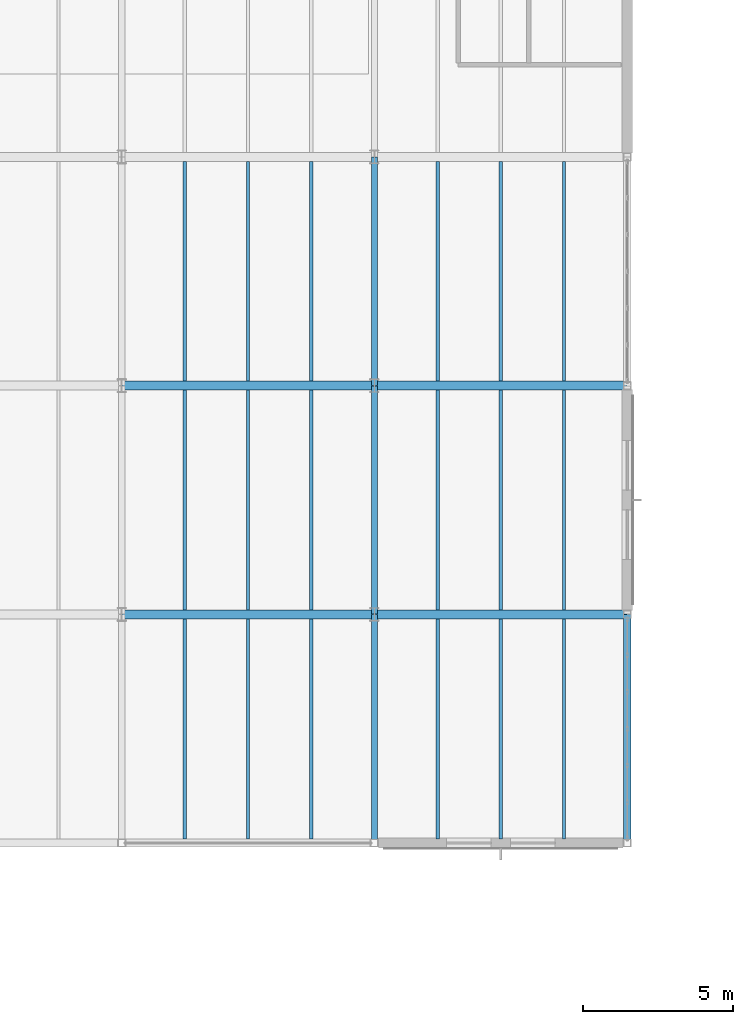
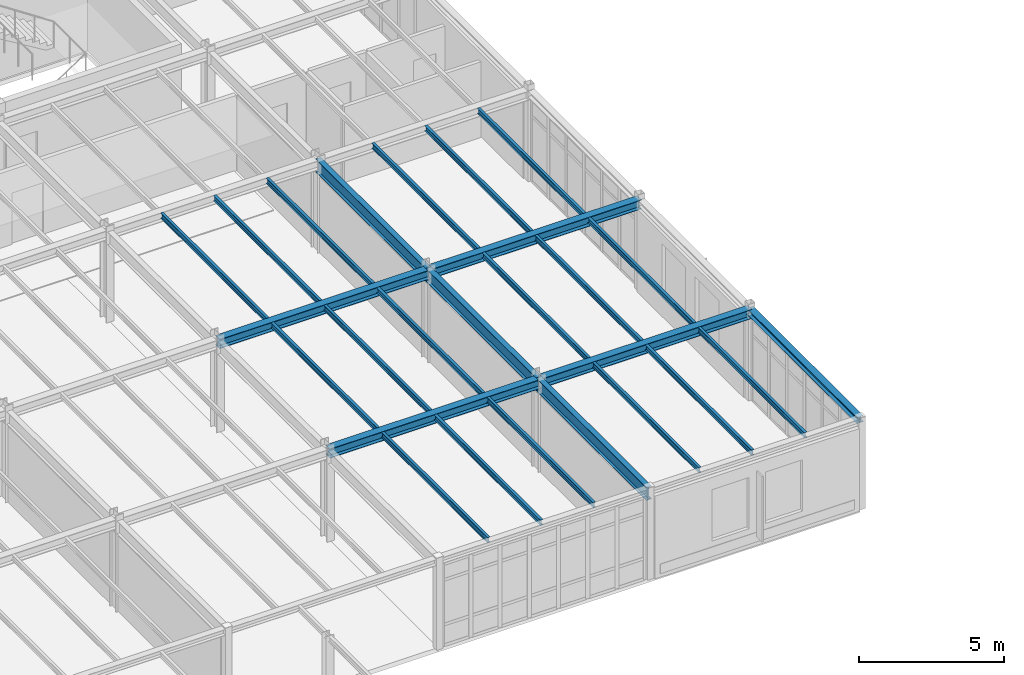
# One storey, part 96 of 189: 26 beams.
"""IFC4 building model written with IfcOpenShell, lengths in metres."""

from ifc_helpers import new_model, si_unit, direction, frame, origin, origin_2d, place, context, subcontext, project, spatial, i_section, extrude, material, material_profile, profile_set, type_object, element, save


model = new_model("IFC4")

# Units and contexts
model_context = context("Model", 3, precision=1e-05, world=origin(), true_north=direction((0.0, 1.0)))
body_context = subcontext(model_context, "Body", "Model", "MODEL_VIEW")
ifc_project = project(units=[si_unit("LENGTHUNIT", "METRE"), si_unit("AREAUNIT", "SQUARE_METRE"), si_unit("VOLUMEUNIT", "CUBIC_METRE"), si_unit("PLANEANGLEUNIT", "RADIAN"), si_unit("MASSUNIT", "GRAM", prefix="KILO")], contexts=[model_context])

# Site, building, storey
site_placement = place(None, origin())
site = spatial("IfcSite", under=ifc_project, at=site_placement, CompositionType="ELEMENT")
building_placement = place(site_placement, origin())
building = spatial("IfcBuilding", under=site, at=building_placement, Name="Montecoro Central Library", CompositionType="ELEMENT")
storey_placement = place(building_placement, frame((0.0, 0.0, 9.179931640625)))
storey = spatial("IfcBuildingStorey", under=building, at=storey_placement, Name="L02", CompositionType="ELEMENT", Elevation=9.179931640625)

# Beams
ifc_material_1 = material(Name="Steel S355", Category="steel")
ifc_material_profile_1 = material_profile(ifc_material_1, i_section(OverallWidth=0.300048828125, OverallDepth=0.389892578125, WebThickness=0.010986328125, FlangeThickness=0.01904296875, at=origin_2d()), Name="HEA 400")
ifc_profile_set_1 = profile_set([ifc_material_profile_1], Name="Steel S355")
beam_type_1 = type_object("IfcBeamType", Name="BM-G-HEA400", PredefinedType="USERDEFINED", material=ifc_profile_set_1)
beam_1_placement = place(storey_placement, frame((100.0048828125, 88.60009765625, 3.630126953125), z_axis=(1.0, 0.0, 0.0), x_axis=(0.0, 1.0, 0.0)))
element("IfcBeam", 1, at=beam_1_placement, inside=storey, type_object=beam_type_1, Name="V2-L02-BX-1314-M", ObjectType="GIRDER", PredefinedType="USERDEFINED", context=body_context, shape_type="SweptSolid", body=[
    extrude(i_section(OverallWidth=0.300048828125, OverallDepth=0.389892578125, WebThickness=0.010986328125, FlangeThickness=0.01904296875, at=origin_2d()), origin(), (0.0, 0.0, 1.0), 8.39013671875),
])
beam_2_placement = place(storey_placement, frame((108.405029296875, 88.60009765625, 3.630126953125), z_axis=(1.0, 0.0, 0.0), x_axis=(0.0, 1.0, 0.0)))
element("IfcBeam", 2, at=beam_2_placement, inside=storey, type_object=beam_type_1, Name="V2-L02-BX-1415-M", ObjectType="GIRDER", PredefinedType="USERDEFINED", context=body_context, shape_type="SweptSolid", body=[
    extrude(i_section(OverallWidth=0.300048828125, OverallDepth=0.389892578125, WebThickness=0.010986328125, FlangeThickness=0.01904296875, at=origin_2d()), origin(), (0.0, 0.0, 1.0), 8.389892578125),
])
beam_3_placement = place(storey_placement, frame((100.0048828125, 96.199951171875, 3.630126953125), z_axis=(1.0, 0.0, 0.0), x_axis=(0.0, 1.0, 0.0)))
element("IfcBeam", 3, at=beam_3_placement, inside=storey, type_object=beam_type_1, Name="V2-L02-BX-1314-N", ObjectType="GIRDER", PredefinedType="USERDEFINED", context=body_context, shape_type="SweptSolid", body=[
    extrude(i_section(OverallWidth=0.300048828125, OverallDepth=0.389892578125, WebThickness=0.010986328125, FlangeThickness=0.01904296875, at=origin_2d()), origin(), (0.0, 0.0, 1.0), 8.39013671875),
])
beam_4_placement = place(storey_placement, frame((108.405029296875, 96.199951171875, 3.630126953125), z_axis=(1.0, 0.0, 0.0), x_axis=(0.0, 1.0, 0.0)))
element("IfcBeam", 4, at=beam_4_placement, inside=storey, type_object=beam_type_1, Name="V2-L02-BX-1415-N", ObjectType="GIRDER", PredefinedType="USERDEFINED", context=body_context, shape_type="SweptSolid", body=[
    extrude(i_section(OverallWidth=0.300048828125, OverallDepth=0.389892578125, WebThickness=0.010986328125, FlangeThickness=0.01904296875, at=origin_2d()), origin(), (0.0, 0.0, 1.0), 8.389892578125),
])
ifc_material_2 = material(Name="Steel S355J2", Category="steel")
ifc_material_profile_2 = material_profile(ifc_material_2, i_section(OverallWidth=0.2099609375, OverallDepth=0.550048828125, WebThickness=0.010986328125, FlangeThickness=0.01708984375, at=origin_2d()), Name="IPE 550")
ifc_profile_set_2 = profile_set([ifc_material_profile_2], Name="Steel S355J2")
beam_type_2 = type_object("IfcBeamType", Name="BM-G-IPE550", PredefinedType="USERDEFINED", material=ifc_profile_set_2)
for number, where, z_axis, x_axis, name in (
    (5, (108.39990234375, 81.0048828125, 3.550048828125), (0.0, 1.0, 0.0), (-1.0, 0.0, 0.0), "V2-L02-BY-14-LM"),
    (6, (108.39990234375, 88.60498046875, 3.550048828125), (0.0, 1.0, 0.0), (-1.0, 0.0, 0.0), "V2-L02-BY-14-MN"),
):
    element("IfcBeam", number, at=place(storey_placement, frame(where, z_axis=z_axis, x_axis=x_axis)), inside=storey, type_object=beam_type_2, Name=name, ObjectType="GIRDER", PredefinedType="USERDEFINED", context=body_context, shape_type="SweptSolid", body=[
        extrude(i_section(OverallWidth=0.2099609375, OverallDepth=0.550048828125, WebThickness=0.010986328125, FlangeThickness=0.01708984375, at=origin_2d()), origin(), (0.0, 0.0, 1.0), 7.590087890625),
    ])
beam_5_placement = place(storey_placement, frame((108.39990234375, 96.205078125, 3.550048828125), z_axis=(0.0, 1.0, 0.0), x_axis=(-1.0, 0.0, 0.0)))
element("IfcBeam", 7, at=beam_5_placement, inside=storey, type_object=beam_type_2, Name="V2-L02-BY-14-NP", ObjectType="GIRDER", PredefinedType="USERDEFINED", context=body_context, shape_type="SweptSolid", body=[
    extrude(i_section(OverallWidth=0.2099609375, OverallDepth=0.550048828125, WebThickness=0.010986328125, FlangeThickness=0.01708984375, at=origin_2d()), origin(), (0.0, 0.0, 1.0), 7.58984375),
])
ifc_material_profile_3 = material_profile(ifc_material_1, i_section(OverallWidth=0.110107421875, OverallDepth=0.219970703125, WebThickness=0.005859375, FlangeThickness=0.00927734375, at=origin_2d()), Name="IPE 220")
ifc_profile_set_3 = profile_set([ifc_material_profile_3], Name="Steel S355")
beam_type_3 = type_object("IfcBeamType", Name="BM-J-IPE220", PredefinedType="JOIST", material=ifc_profile_set_3)
for number, where, z_axis, x_axis, name in (
    (8, (102.10009765625, 81.126953125, 3.715087890625), (0.0, 1.0, 0.0), (-1.0, 0.0, 0.0), "V2-L02-JS-1314-LM-1"),
    (9, (104.199951171875, 81.126953125, 3.715087890625), (0.0, 1.0, 0.0), (-1.0, 0.0, 0.0), "V2-L02-JS-1314-LM-2"),
    (10, (106.300048828125, 81.126953125, 3.715087890625), (0.0, 1.0, 0.0), (-1.0, 0.0, 0.0), "V2-L02-JS-1314-LM-3"),
):
    element("IfcBeam", number, at=place(storey_placement, frame(where, z_axis=z_axis, x_axis=x_axis)), inside=storey, type_object=beam_type_3, Name=name, PredefinedType="JOIST", context=body_context, shape_type="SweptSolid", body=[
        extrude(i_section(OverallWidth=0.110107421875, OverallDepth=0.219970703125, WebThickness=0.005859375, FlangeThickness=0.00927734375, at=origin_2d()), origin(), (0.0, 0.0, 1.0), 7.325927734375),
    ])
for number, where, z_axis, x_axis, name in (
    (11, (102.10009765625, 88.7470703125, 3.715087890625), (0.0, 1.0, 0.0), (-1.0, 0.0, 0.0), "V2-L02-JS-1314-MN-1"),
    (12, (104.199951171875, 88.7470703125, 3.715087890625), (0.0, 1.0, 0.0), (-1.0, 0.0, 0.0), "V2-L02-JS-1314-MN-2"),
    (13, (106.300048828125, 88.7470703125, 3.715087890625), (0.0, 1.0, 0.0), (-1.0, 0.0, 0.0), "V2-L02-JS-1314-MN-3"),
):
    element("IfcBeam", number, at=place(storey_placement, frame(where, z_axis=z_axis, x_axis=x_axis)), inside=storey, type_object=beam_type_3, Name=name, PredefinedType="JOIST", context=body_context, shape_type="SweptSolid", body=[
        extrude(i_section(OverallWidth=0.110107421875, OverallDepth=0.219970703125, WebThickness=0.005859375, FlangeThickness=0.00927734375, at=origin_2d()), origin(), (0.0, 0.0, 1.0), 7.305908203125),
    ])
for number, where, z_axis, x_axis, name in (
    (14, (102.10009765625, 96.346923828125, 3.715087890625), (0.0, 1.0, 0.0), (-1.0, 0.0, 0.0), "V2-L02-JS-1314-NP-1"),
    (15, (104.199951171875, 96.346923828125, 3.715087890625), (0.0, 1.0, 0.0), (-1.0, 0.0, 0.0), "V2-L02-JS-1314-NP-2"),
    (16, (106.300048828125, 96.346923828125, 3.715087890625), (0.0, 1.0, 0.0), (-1.0, 0.0, 0.0), "V2-L02-JS-1314-NP-3"),
):
    element("IfcBeam", number, at=place(storey_placement, frame(where, z_axis=z_axis, x_axis=x_axis)), inside=storey, type_object=beam_type_3, Name=name, PredefinedType="JOIST", context=body_context, shape_type="SweptSolid", body=[
        extrude(i_section(OverallWidth=0.110107421875, OverallDepth=0.219970703125, WebThickness=0.005859375, FlangeThickness=0.00927734375, at=origin_2d()), origin(), (0.0, 0.0, 1.0), 7.30615234375),
    ])
for number, where, z_axis, x_axis, name in (
    (17, (110.5, 81.126953125, 3.715087890625), (0.0, 1.0, 0.0), (-1.0, 0.0, 0.0), "V2-L02-JS-1415-LM-1"),
    (18, (112.60009765625, 81.126953125, 3.715087890625), (0.0, 1.0, 0.0), (-1.0, 0.0, 0.0), "V2-L02-JS-1415-LM-2"),
    (19, (114.699951171875, 81.126953125, 3.715087890625), (0.0, 1.0, 0.0), (-1.0, 0.0, 0.0), "V2-L02-JS-1415-LM-3"),
):
    element("IfcBeam", number, at=place(storey_placement, frame(where, z_axis=z_axis, x_axis=x_axis)), inside=storey, type_object=beam_type_3, Name=name, PredefinedType="JOIST", context=body_context, shape_type="SweptSolid", body=[
        extrude(i_section(OverallWidth=0.110107421875, OverallDepth=0.219970703125, WebThickness=0.005859375, FlangeThickness=0.00927734375, at=origin_2d()), origin(), (0.0, 0.0, 1.0), 7.325927734375),
    ])
for number, where, z_axis, x_axis, name in (
    (20, (110.5, 88.7470703125, 3.715087890625), (0.0, 1.0, 0.0), (-1.0, 0.0, 0.0), "V2-L02-JS-1415-MN-1"),
    (21, (112.60009765625, 88.7470703125, 3.715087890625), (0.0, 1.0, 0.0), (-1.0, 0.0, 0.0), "V2-L02-JS-1415-MN-2"),
    (22, (114.699951171875, 88.7470703125, 3.715087890625), (0.0, 1.0, 0.0), (-1.0, 0.0, 0.0), "V2-L02-JS-1415-MN-3"),
):
    element("IfcBeam", number, at=place(storey_placement, frame(where, z_axis=z_axis, x_axis=x_axis)), inside=storey, type_object=beam_type_3, Name=name, PredefinedType="JOIST", context=body_context, shape_type="SweptSolid", body=[
        extrude(i_section(OverallWidth=0.110107421875, OverallDepth=0.219970703125, WebThickness=0.005859375, FlangeThickness=0.00927734375, at=origin_2d()), origin(), (0.0, 0.0, 1.0), 7.305908203125),
    ])
for number, where, z_axis, x_axis, name in (
    (23, (110.5, 96.346923828125, 3.715087890625), (0.0, 1.0, 0.0), (-1.0, 0.0, 0.0), "V2-L02-JS-1415-NP-1"),
    (24, (112.60009765625, 96.346923828125, 3.715087890625), (0.0, 1.0, 0.0), (-1.0, 0.0, 0.0), "V2-L02-JS-1415-NP-2"),
    (25, (114.699951171875, 96.346923828125, 3.715087890625), (0.0, 1.0, 0.0), (-1.0, 0.0, 0.0), "V2-L02-JS-1415-NP-3"),
):
    element("IfcBeam", number, at=place(storey_placement, frame(where, z_axis=z_axis, x_axis=x_axis)), inside=storey, type_object=beam_type_3, Name=name, PredefinedType="JOIST", context=body_context, shape_type="SweptSolid", body=[
        extrude(i_section(OverallWidth=0.110107421875, OverallDepth=0.219970703125, WebThickness=0.005859375, FlangeThickness=0.00927734375, at=origin_2d()), origin(), (0.0, 0.0, 1.0), 7.30615234375),
    ])
ifc_material_profile_4 = material_profile(ifc_material_1, i_section(OverallWidth=0.260009765625, OverallDepth=0.25, WebThickness=0.007568359375, FlangeThickness=0.012451171875, at=origin_2d()), Name="HEA 260")
ifc_profile_set_4 = profile_set([ifc_material_profile_4], Name="Steel S355")
beam_type_4 = type_object("IfcBeamType", Name="BM-SP-HEA260", PredefinedType="SPANDREL", material=ifc_profile_set_4)
beam_6_placement = place(storey_placement, frame((116.800048828125, 81.0048828125, 3.699951171875), z_axis=(0.0, 1.0, 0.0), x_axis=(-1.0, 0.0, 0.0)))
element("IfcBeam", 26, at=beam_6_placement, inside=storey, type_object=beam_type_4, Name="V2-L02-BY-15-LM", PredefinedType="SPANDREL", context=body_context, shape_type="SweptSolid", body=[
    extrude(i_section(OverallWidth=0.260009765625, OverallDepth=0.25, WebThickness=0.007568359375, FlangeThickness=0.012451171875, at=origin_2d()), origin(), (0.0, 0.0, 1.0), 7.590087890625),
])

save(model, "model.ifc")
